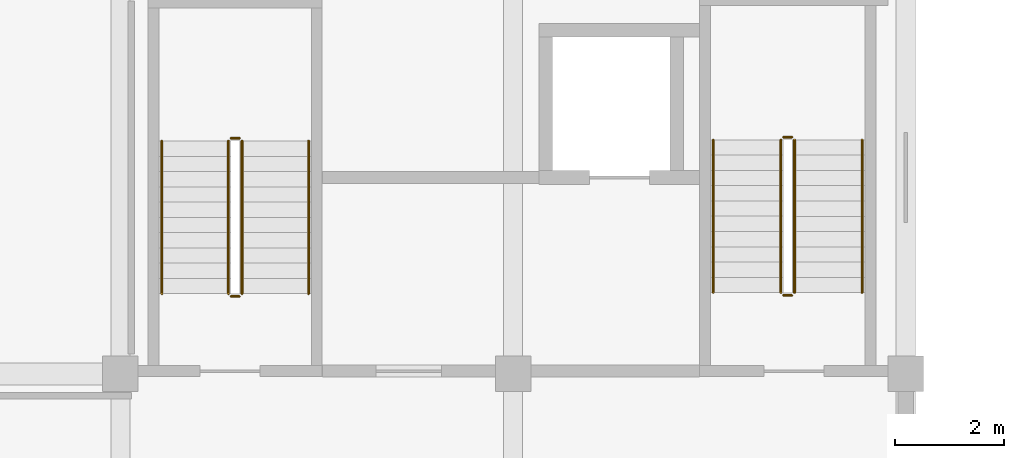
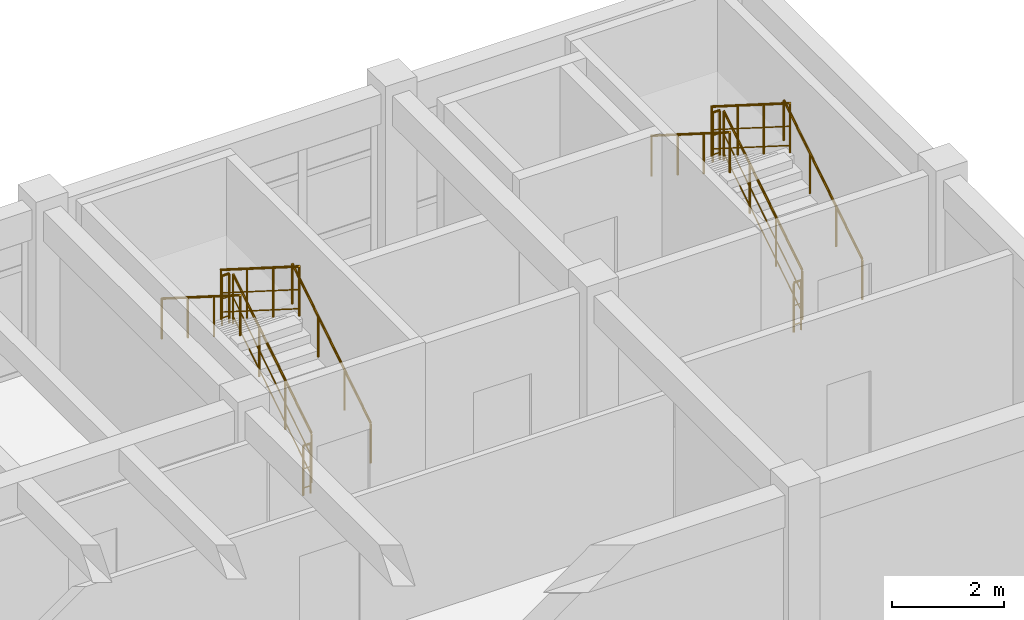
# One storey, part 11 of 13: 12 railings.
"""IFC4 building model written with IfcOpenShell, lengths in metres."""

from ifc_helpers import new_model, si_unit, direction, frame, origin, origin_2d, place, context, subcontext, project, spatial, circle, extrude, material, layer, layer_set, type_object, element, save


model = new_model("IFC4")

# Units and contexts
model_context = context("Model", 3, precision=1e-05, world=origin(), true_north=direction((0.0, 1.0)))
body_context = subcontext(model_context, "Body", "Model", "MODEL_VIEW")
ifc_project = project(units=[si_unit("LENGTHUNIT", "METRE"), si_unit("AREAUNIT", "SQUARE_METRE"), si_unit("VOLUMEUNIT", "CUBIC_METRE"), si_unit("PLANEANGLEUNIT", "RADIAN"), si_unit("MASSUNIT", "GRAM", prefix="KILO")], contexts=[model_context])

# Site, building, storey
site_placement = place(None, origin())
site = spatial("IfcSite", under=ifc_project, at=site_placement, CompositionType="ELEMENT")
building_placement = place(site_placement, origin())
building = spatial("IfcBuilding", under=site, at=building_placement, Name="Koriwan Promenade Central Fire Station", CompositionType="ELEMENT")
storey_placement = place(building_placement, frame((0.0, 0.0, 13.5)))
storey = spatial("IfcBuildingStorey", under=building, at=storey_placement, Name="L03", CompositionType="ELEMENT", Elevation=13.5)

# Railings
ifc_material_1 = material(Name="Steel ASTM A500 Grade C", Category="steel")
ifc_layer_1 = layer(ifc_material_1, 0.050048828125, Name="Steel ASTM A500 Grade C")
ifc_layer_set_1 = layer_set([ifc_layer_1], Name="Steel ASTM A500 Grade C")
railing_type_1 = type_object("IfcRailingType", Name="StairGuard_1100", PredefinedType="BALUSTRADE", material=ifc_layer_set_1)
railing_1_placement = place(storey_placement, frame((98.760009765625, 109.489990234375, 0.17724609375)))
element("IfcRailing", 1, at=railing_1_placement, inside=storey, type_object=railing_type_1, Name="L03 ST04 stair guard 1", PredefinedType="BALUSTRADE", context=body_context, shape_type="SweptSolid", body=[
    extrude(circle(Radius=0.02392578125, at=origin_2d()), frame((0.0, 0.0, 1.076171875), z_axis=(0.0, 0.844908973607, 0.534910110503), x_axis=(-1.0, 0.0, 0.0)), (0.0, 0.0, 1.0), 3.31396484375),
    extrude(circle(Radius=0.012939453125, at=origin_2d()), frame((0.0, 0.0, 0.572021484375), z_axis=(0.0, 0.844908973607, 0.534910110503), x_axis=(-1.0, 0.0, 0.0)), (0.0, 0.0, 1.0), 3.31396484375),
    extrude(circle(Radius=0.012939453125, at=origin_2d()), frame((0.0, 0.0, 0.154052734375), z_axis=(0.0, 0.844908973607, 0.534910110503), x_axis=(-1.0, 0.0, 0.0)), (0.0, 0.0, 1.0), 3.31396484375),
    extrude(circle(Radius=0.02099609375, at=origin_2d()), origin(), (0.0, 0.0, 1.0), 1.052001953125),
    extrude(circle(Radius=0.02099609375, at=origin_2d()), frame((0.0, 0.933349609375, 0.5908203125)), (0.0, 0.0, 1.0), 1.052001953125),
    extrude(circle(Radius=0.02099609375, at=origin_2d()), frame((0.0, 1.86669921875, 1.181884765625)), (0.0, 0.0, 1.0), 1.052001953125),
    extrude(circle(Radius=0.02099609375, at=origin_2d()), frame((0.0, 2.800048828125, 1.772705078125)), (0.0, 0.0, 1.0), 1.052001953125),
])
railing_2_placement = place(storey_placement, frame((98.7099609375, 112.340087890625, 1.949951171875)))
element("IfcRailing", 2, at=railing_2_placement, inside=storey, type_object=railing_type_1, Name="L03 ST04 stair guard 2", PredefinedType="BALUSTRADE", context=body_context, shape_type="SweptSolid", body=[
    extrude(circle(Radius=0.02392578125, at=origin_2d()), frame((0.0, 0.0, 1.076171875), z_axis=(-1.0, 0.0, 0.0), x_axis=(0.0, -1.0, 0.0)), (0.0, 0.0, 1.0), 0.14990234375),
    extrude(circle(Radius=0.012939453125, at=origin_2d()), frame((0.0, 0.0, 0.572021484375), z_axis=(-1.0, 0.0, 0.0), x_axis=(0.0, -1.0, 0.0)), (0.0, 0.0, 1.0), 0.14990234375),
    extrude(circle(Radius=0.012939453125, at=origin_2d()), frame((0.0, 0.0, 0.154052734375), z_axis=(-1.0, 0.0, 0.0), x_axis=(0.0, -1.0, 0.0)), (0.0, 0.0, 1.0), 0.14990234375),
    extrude(circle(Radius=0.02099609375, at=origin_2d()), origin(), (0.0, 0.0, 1.0), 1.052001953125),
    extrude(circle(Radius=0.02099609375, at=origin_2d()), frame((-0.14990234375, 0.0, 0.0)), (0.0, 0.0, 1.0), 1.052001953125),
])
railing_3_placement = place(storey_placement, frame((98.510009765625, 112.2900390625, 2.127197265625)))
element("IfcRailing", 3, at=railing_3_placement, inside=storey, type_object=railing_type_1, Name="L03 ST04 stair guard 3", PredefinedType="BALUSTRADE", context=body_context, shape_type="SweptSolid", body=[
    extrude(circle(Radius=0.02392578125, at=origin_2d()), frame((0.0, 0.0, 1.076171875), z_axis=(0.0, -0.844908973607, 0.534910110503), x_axis=(1.0, 0.0, 0.0)), (0.0, 0.0, 1.0), 3.31396484375),
    extrude(circle(Radius=0.012939453125, at=origin_2d()), frame((0.0, 0.0, 0.572021484375), z_axis=(0.0, -0.844908973607, 0.534910110503), x_axis=(1.0, 0.0, 0.0)), (0.0, 0.0, 1.0), 3.31396484375),
    extrude(circle(Radius=0.012939453125, at=origin_2d()), frame((0.0, 0.0, 0.154052734375), z_axis=(0.0, -0.844908973607, 0.534910110503), x_axis=(1.0, 0.0, 0.0)), (0.0, 0.0, 1.0), 3.31396484375),
    extrude(circle(Radius=0.02099609375, at=origin_2d()), origin(), (0.0, 0.0, 1.0), 1.052001953125),
    extrude(circle(Radius=0.02099609375, at=origin_2d()), frame((0.0, -0.933349609375, 0.5908203125)), (0.0, 0.0, 1.0), 1.052001953125),
    extrude(circle(Radius=0.02099609375, at=origin_2d()), frame((0.0, -1.86669921875, 1.181884765625)), (0.0, 0.0, 1.0), 1.052001953125),
    extrude(circle(Radius=0.02099609375, at=origin_2d()), frame((0.0, -2.800048828125, 1.772705078125)), (0.0, 0.0, 1.0), 1.052001953125),
])
railing_4_placement = place(storey_placement, frame((98.7099609375, 109.43994140625, 0.0)))
element("IfcRailing", 4, at=railing_4_placement, inside=storey, type_object=railing_type_1, Name="L03 ST04 stair guard 4", PredefinedType="BALUSTRADE", context=body_context, shape_type="SweptSolid", body=[
    extrude(circle(Radius=0.02392578125, at=origin_2d()), frame((0.0, 0.0, 1.076171875), z_axis=(-1.0, 0.0, 0.0), x_axis=(0.0, -1.0, 0.0)), (0.0, 0.0, 1.0), 0.14990234375),
    extrude(circle(Radius=0.012939453125, at=origin_2d()), frame((0.0, 0.0, 0.572021484375), z_axis=(-1.0, 0.0, 0.0), x_axis=(0.0, -1.0, 0.0)), (0.0, 0.0, 1.0), 0.14990234375),
    extrude(circle(Radius=0.012939453125, at=origin_2d()), frame((0.0, 0.0, 0.154052734375), z_axis=(-1.0, 0.0, 0.0), x_axis=(0.0, -1.0, 0.0)), (0.0, 0.0, 1.0), 0.14990234375),
    extrude(circle(Radius=0.02099609375, at=origin_2d()), origin(), (0.0, 0.0, 1.0), 1.052001953125),
    extrude(circle(Radius=0.02099609375, at=origin_2d()), frame((-0.14990234375, 0.0, 0.0)), (0.0, 0.0, 1.0), 1.052001953125),
])
railing_5_placement = place(storey_placement, frame((88.6298828125, 109.469970703125, 0.17724609375)))
element("IfcRailing", 5, at=railing_5_placement, inside=storey, type_object=railing_type_1, Name="L03 ST09 stair guard 1", PredefinedType="BALUSTRADE", context=body_context, shape_type="SweptSolid", body=[
    extrude(circle(Radius=0.02392578125, at=origin_2d()), frame((0.0, 0.0, 1.076171875), z_axis=(0.0, 0.844908973607, 0.534910110503), x_axis=(-1.0, 0.0, 0.0)), (0.0, 0.0, 1.0), 3.31396484375),
    extrude(circle(Radius=0.012939453125, at=origin_2d()), frame((0.0, 0.0, 0.572021484375), z_axis=(0.0, 0.844908973607, 0.534910110503), x_axis=(-1.0, 0.0, 0.0)), (0.0, 0.0, 1.0), 3.31396484375),
    extrude(circle(Radius=0.012939453125, at=origin_2d()), frame((0.0, 0.0, 0.154052734375), z_axis=(0.0, 0.844908973607, 0.534910110503), x_axis=(-1.0, 0.0, 0.0)), (0.0, 0.0, 1.0), 3.31396484375),
    extrude(circle(Radius=0.02099609375, at=origin_2d()), origin(), (0.0, 0.0, 1.0), 1.052001953125),
    extrude(circle(Radius=0.02099609375, at=origin_2d()), frame((0.0, 0.933349609375, 0.5908203125)), (0.0, 0.0, 1.0), 1.052001953125),
    extrude(circle(Radius=0.02099609375, at=origin_2d()), frame((0.0, 1.86669921875, 1.181884765625)), (0.0, 0.0, 1.0), 1.052001953125),
    extrude(circle(Radius=0.02099609375, at=origin_2d()), frame((0.0, 2.800048828125, 1.772705078125)), (0.0, 0.0, 1.0), 1.052001953125),
])
railing_6_placement = place(storey_placement, frame((88.580078125, 112.320068359375, 1.949951171875)))
element("IfcRailing", 6, at=railing_6_placement, inside=storey, type_object=railing_type_1, Name="L03 ST09 stair guard 2", PredefinedType="BALUSTRADE", context=body_context, shape_type="SweptSolid", body=[
    extrude(circle(Radius=0.02392578125, at=origin_2d()), frame((0.0, 0.0, 1.076171875), z_axis=(-1.0, 0.0, 0.0), x_axis=(0.0, -1.0, 0.0)), (0.0, 0.0, 1.0), 0.150146484375),
    extrude(circle(Radius=0.012939453125, at=origin_2d()), frame((0.0, 0.0, 0.572021484375), z_axis=(-1.0, 0.0, 0.0), x_axis=(0.0, -1.0, 0.0)), (0.0, 0.0, 1.0), 0.150146484375),
    extrude(circle(Radius=0.012939453125, at=origin_2d()), frame((0.0, 0.0, 0.154052734375), z_axis=(-1.0, 0.0, 0.0), x_axis=(0.0, -1.0, 0.0)), (0.0, 0.0, 1.0), 0.150146484375),
    extrude(circle(Radius=0.02099609375, at=origin_2d()), origin(), (0.0, 0.0, 1.0), 1.052001953125),
    extrude(circle(Radius=0.02099609375, at=origin_2d()), frame((-0.150146484375, 0.0, 0.0)), (0.0, 0.0, 1.0), 1.052001953125),
])
railing_7_placement = place(storey_placement, frame((88.3798828125, 112.27001953125, 2.127197265625)))
element("IfcRailing", 7, at=railing_7_placement, inside=storey, type_object=railing_type_1, Name="L03 ST09 stair guard 3", PredefinedType="BALUSTRADE", context=body_context, shape_type="SweptSolid", body=[
    extrude(circle(Radius=0.02392578125, at=origin_2d()), frame((0.0, 0.0, 1.076171875), z_axis=(0.0, -0.844908973607, 0.534910110503), x_axis=(1.0, 0.0, 0.0)), (0.0, 0.0, 1.0), 3.31396484375),
    extrude(circle(Radius=0.012939453125, at=origin_2d()), frame((0.0, 0.0, 0.572021484375), z_axis=(0.0, -0.844908973607, 0.534910110503), x_axis=(1.0, 0.0, 0.0)), (0.0, 0.0, 1.0), 3.31396484375),
    extrude(circle(Radius=0.012939453125, at=origin_2d()), frame((0.0, 0.0, 0.154052734375), z_axis=(0.0, -0.844908973607, 0.534910110503), x_axis=(1.0, 0.0, 0.0)), (0.0, 0.0, 1.0), 3.31396484375),
    extrude(circle(Radius=0.02099609375, at=origin_2d()), origin(), (0.0, 0.0, 1.0), 1.052001953125),
    extrude(circle(Radius=0.02099609375, at=origin_2d()), frame((0.0, -0.933349609375, 0.5908203125)), (0.0, 0.0, 1.0), 1.052001953125),
    extrude(circle(Radius=0.02099609375, at=origin_2d()), frame((0.0, -1.86669921875, 1.181884765625)), (0.0, 0.0, 1.0), 1.052001953125),
    extrude(circle(Radius=0.02099609375, at=origin_2d()), frame((0.0, -2.800048828125, 1.772705078125)), (0.0, 0.0, 1.0), 1.052001953125),
])
railing_8_placement = place(storey_placement, frame((88.580078125, 109.419921875, 0.0)))
element("IfcRailing", 8, at=railing_8_placement, inside=storey, type_object=railing_type_1, Name="L03 ST09 stair guard 4", PredefinedType="BALUSTRADE", context=body_context, shape_type="SweptSolid", body=[
    extrude(circle(Radius=0.02392578125, at=origin_2d()), frame((0.0, 0.0, 1.076171875), z_axis=(-1.0, 0.0, 0.0), x_axis=(0.0, -1.0, 0.0)), (0.0, 0.0, 1.0), 0.150146484375),
    extrude(circle(Radius=0.012939453125, at=origin_2d()), frame((0.0, 0.0, 0.572021484375), z_axis=(-1.0, 0.0, 0.0), x_axis=(0.0, -1.0, 0.0)), (0.0, 0.0, 1.0), 0.150146484375),
    extrude(circle(Radius=0.012939453125, at=origin_2d()), frame((0.0, 0.0, 0.154052734375), z_axis=(-1.0, 0.0, 0.0), x_axis=(0.0, -1.0, 0.0)), (0.0, 0.0, 1.0), 0.150146484375),
    extrude(circle(Radius=0.02099609375, at=origin_2d()), origin(), (0.0, 0.0, 1.0), 1.052001953125),
    extrude(circle(Radius=0.02099609375, at=origin_2d()), frame((-0.150146484375, 0.0, 0.0)), (0.0, 0.0, 1.0), 1.052001953125),
])
ifc_material_2 = material(Name="Stainless steel 316 tubular handrail", Category="steel")
ifc_layer_2 = layer(ifc_material_2, 0.048095703125, Name="Stainless steel 316 tubular handrail")
ifc_layer_set_2 = layer_set([ifc_layer_2], Name="Stainless steel 316 tubular handrail")
railing_type_2 = type_object("IfcRailingType", Name="StairHandrail_900", PredefinedType="HANDRAIL", material=ifc_layer_set_2)
railing_9_placement = place(storey_placement, frame((100.0, 109.489990234375, 0.17724609375)))
element("IfcRailing", 9, at=railing_9_placement, inside=storey, type_object=railing_type_2, Name="L03 ST04 stair handrail 1", PredefinedType="HANDRAIL", context=body_context, shape_type="SweptSolid", body=[
    extrude(circle(Radius=0.02392578125, at=origin_2d()), frame((0.0, 0.0, 0.8759765625), z_axis=(0.0, 0.844908973607, 0.534910110503), x_axis=(-1.0, 0.0, 0.0)), (0.0, 0.0, 1.0), 3.31396484375),
    extrude(circle(Radius=0.02099609375, at=origin_2d()), origin(), (0.0, 0.0, 1.0), 0.851806640625),
    extrude(circle(Radius=0.02099609375, at=origin_2d()), frame((0.0, 0.933349609375, 0.5908203125)), (0.0, 0.0, 1.0), 0.851806640625),
    extrude(circle(Radius=0.02099609375, at=origin_2d()), frame((0.0, 1.86669921875, 1.181884765625)), (0.0, 0.0, 1.0), 0.851806640625),
    extrude(circle(Radius=0.02099609375, at=origin_2d()), frame((0.0, 2.800048828125, 1.772705078125)), (0.0, 0.0, 1.0), 0.851806640625),
])
railing_10_placement = place(storey_placement, frame((97.27001953125, 112.2900390625, 2.127197265625)))
element("IfcRailing", 10, at=railing_10_placement, inside=storey, type_object=railing_type_2, Name="L03 ST04 stair handrail 2", PredefinedType="HANDRAIL", context=body_context, shape_type="SweptSolid", body=[
    extrude(circle(Radius=0.02392578125, at=origin_2d()), frame((0.0, 0.0, 0.8759765625), z_axis=(0.0, -0.844908973607, 0.534910110503), x_axis=(1.0, 0.0, 0.0)), (0.0, 0.0, 1.0), 3.31396484375),
    extrude(circle(Radius=0.02099609375, at=origin_2d()), origin(), (0.0, 0.0, 1.0), 0.851806640625),
    extrude(circle(Radius=0.02099609375, at=origin_2d()), frame((0.0, -0.933349609375, 0.5908203125)), (0.0, 0.0, 1.0), 0.851806640625),
    extrude(circle(Radius=0.02099609375, at=origin_2d()), frame((0.0, -1.86669921875, 1.181884765625)), (0.0, 0.0, 1.0), 0.851806640625),
    extrude(circle(Radius=0.02099609375, at=origin_2d()), frame((0.0, -2.800048828125, 1.772705078125)), (0.0, 0.0, 1.0), 0.851806640625),
])
railing_11_placement = place(storey_placement, frame((89.85009765625, 109.469970703125, 0.17724609375)))
element("IfcRailing", 11, at=railing_11_placement, inside=storey, type_object=railing_type_2, Name="L03 ST09 stair handrail 1", PredefinedType="HANDRAIL", context=body_context, shape_type="SweptSolid", body=[
    extrude(circle(Radius=0.02392578125, at=origin_2d()), frame((0.0, 0.0, 0.8759765625), z_axis=(0.0, 0.844908973607, 0.534910110503), x_axis=(-1.0, 0.0, 0.0)), (0.0, 0.0, 1.0), 3.31396484375),
    extrude(circle(Radius=0.02099609375, at=origin_2d()), origin(), (0.0, 0.0, 1.0), 0.851806640625),
    extrude(circle(Radius=0.02099609375, at=origin_2d()), frame((0.0, 0.933349609375, 0.5908203125)), (0.0, 0.0, 1.0), 0.851806640625),
    extrude(circle(Radius=0.02099609375, at=origin_2d()), frame((0.0, 1.86669921875, 1.181884765625)), (0.0, 0.0, 1.0), 0.851806640625),
    extrude(circle(Radius=0.02099609375, at=origin_2d()), frame((0.0, 2.800048828125, 1.772705078125)), (0.0, 0.0, 1.0), 0.851806640625),
])
railing_12_placement = place(storey_placement, frame((87.159912109375, 112.27001953125, 2.127197265625)))
element("IfcRailing", 12, at=railing_12_placement, inside=storey, type_object=railing_type_2, Name="L03 ST09 stair handrail 2", PredefinedType="HANDRAIL", context=body_context, shape_type="SweptSolid", body=[
    extrude(circle(Radius=0.02392578125, at=origin_2d()), frame((0.0, 0.0, 0.8759765625), z_axis=(0.0, -0.844908973607, 0.534910110503), x_axis=(1.0, 0.0, 0.0)), (0.0, 0.0, 1.0), 3.31396484375),
    extrude(circle(Radius=0.02099609375, at=origin_2d()), origin(), (0.0, 0.0, 1.0), 0.851806640625),
    extrude(circle(Radius=0.02099609375, at=origin_2d()), frame((0.0, -0.933349609375, 0.5908203125)), (0.0, 0.0, 1.0), 0.851806640625),
    extrude(circle(Radius=0.02099609375, at=origin_2d()), frame((0.0, -1.86669921875, 1.181884765625)), (0.0, 0.0, 1.0), 0.851806640625),
    extrude(circle(Radius=0.02099609375, at=origin_2d()), frame((0.0, -2.800048828125, 1.772705078125)), (0.0, 0.0, 1.0), 0.851806640625),
])

save(model, "model.ifc")
